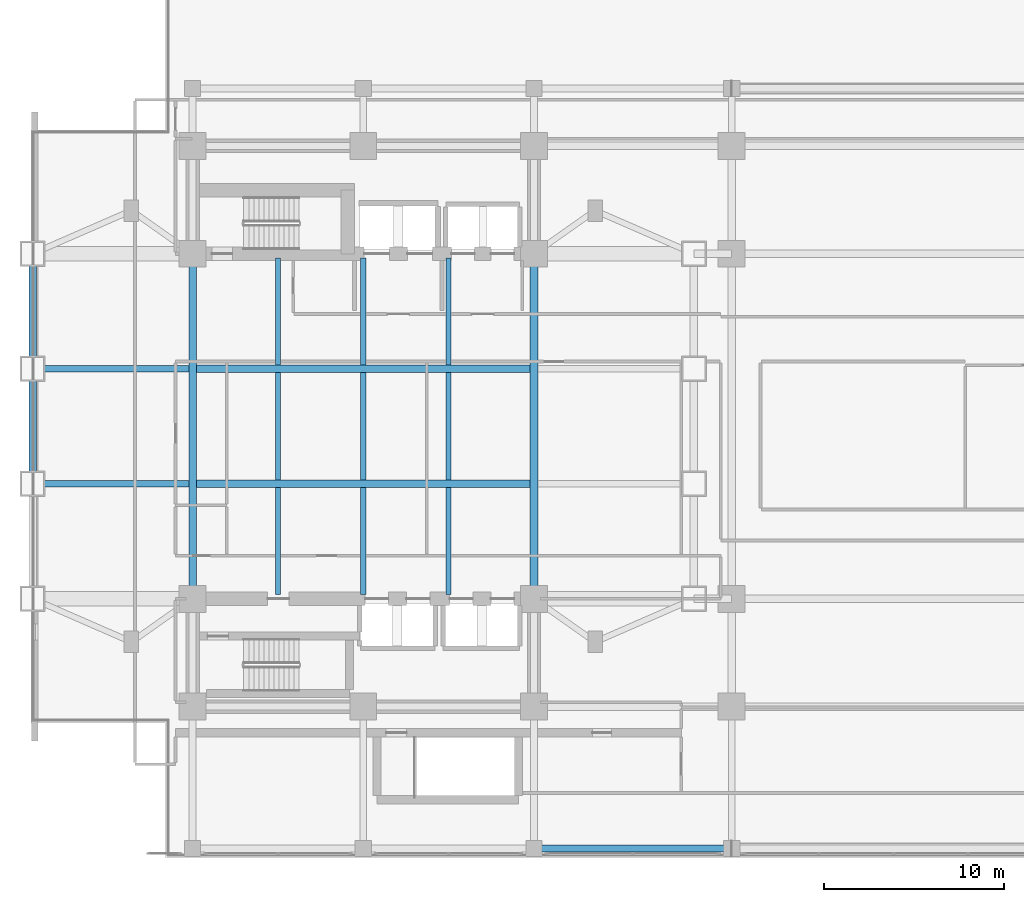
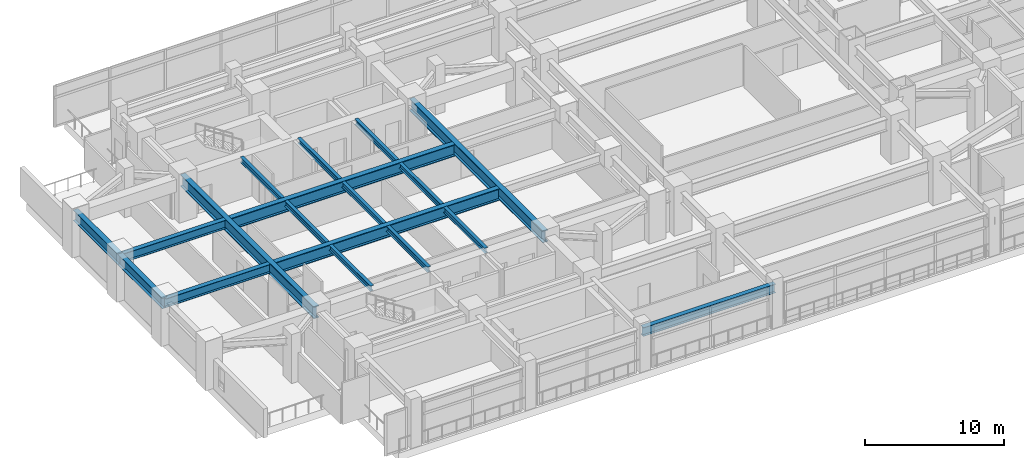
# One storey, part 3 of 27: 18 beams.
"""IFC4 building model written with IfcOpenShell, lengths in metres."""

from ifc_helpers import new_model, si_unit, direction, frame, origin, origin_2d, place, context, subcontext, project, spatial, i_section, extrude, material, material_profile, profile_set, type_object, element, save


model = new_model("IFC4")

# Units and contexts
model_context = context("Model", 3, precision=1e-05, world=origin(), true_north=direction((0.0, 1.0)))
body_context = subcontext(model_context, "Body", "Model", "MODEL_VIEW")
ifc_project = project(units=[si_unit("LENGTHUNIT", "METRE"), si_unit("AREAUNIT", "SQUARE_METRE"), si_unit("VOLUMEUNIT", "CUBIC_METRE"), si_unit("PLANEANGLEUNIT", "RADIAN"), si_unit("MASSUNIT", "GRAM", prefix="KILO")], contexts=[model_context])

# Site, building, storey
site_placement = place(None, origin())
site = spatial("IfcSite", under=ifc_project, at=site_placement, CompositionType="ELEMENT")
building_placement = place(site_placement, origin())
building = spatial("IfcBuilding", under=site, at=building_placement, Name="Mirazonda Arch Towers", CompositionType="ELEMENT")
storey_placement = place(building_placement, frame((0.0, 0.0, 18.10009765625)))
storey = spatial("IfcBuildingStorey", under=building, at=storey_placement, Name="L04", CompositionType="ELEMENT", Elevation=18.10009765625)

# Beams
ifc_material = material(Name="Steel ASTM A992 Grade 50", Category="steel")
ifc_material_profile_1 = material_profile(ifc_material, i_section(OverallWidth=0.381103515625, OverallDepth=0.77294921875, WebThickness=0.0166015625, FlangeThickness=0.027099609375, at=origin_2d()), Name="W30X173")
ifc_profile_set_1 = profile_set([ifc_material_profile_1], Name="Steel ASTM A992 Grade 50")
beam_type_1 = type_object("IfcBeamType", Name="BM-EXT-W30X173", PredefinedType="USERDEFINED", material=ifc_profile_set_1)
beam_1_placement = place(storey_placement, frame((30.0, 4.5, 3.263427734375), z_axis=(1.0, 0.0, 0.0), x_axis=(0.0, 1.0, 0.0)))
element("IfcBeam", 1, at=beam_1_placement, inside=storey, type_object=beam_type_1, Name="L04 Floor Beam BM-POD-L04-PS-3", ObjectType="GIRDER", PredefinedType="USERDEFINED", context=body_context, shape_type="SweptSolid", body=[
    extrude(i_section(OverallWidth=0.381103515625, OverallDepth=0.77294921875, WebThickness=0.0166015625, FlangeThickness=0.027099609375, at=origin_2d()), origin(), (0.0, 0.0, 1.0), 11.0),
])
ifc_material_profile_2 = material_profile(ifc_material, i_section(OverallWidth=0.41796875, OverallDepth=0.927001953125, WebThickness=0.019287109375, FlangeThickness=0.031982421875, at=origin_2d()), Name="W36X231")
ifc_profile_set_2 = profile_set([ifc_material_profile_2], Name="Steel ASTM A992 Grade 50")
beam_type_2 = type_object("IfcBeamType", Name="BM-EXT-W36X231", PredefinedType="USERDEFINED", material=ifc_profile_set_2)
beam_2_placement = place(storey_placement, frame((2.10009765625, 24.800048828125, 3.1865234375), z_axis=(0.0, 1.0, 0.0), x_axis=(-1.0, 0.0, 0.0)))
element("IfcBeam", 2, at=beam_2_placement, inside=storey, type_object=beam_type_2, Name="L04 Floor Beam BM-T1-L04-NS-W-24", ObjectType="GIRDER", PredefinedType="USERDEFINED", context=body_context, shape_type="SweptSolid", body=[
    extrude(i_section(OverallWidth=0.41796875, OverallDepth=0.927001953125, WebThickness=0.019287109375, FlangeThickness=0.031982421875, at=origin_2d()), origin(), (0.0, 0.0, 1.0), 6.39990234375),
])
beam_3_placement = place(storey_placement, frame((2.10009765625, 31.199951171875, 3.1865234375), z_axis=(0.0, 1.0, 0.0), x_axis=(-1.0, 0.0, 0.0)))
element("IfcBeam", 3, at=beam_3_placement, inside=storey, type_object=beam_type_2, Name="L04 Floor Beam BM-T1-L04-NS-W-31", ObjectType="GIRDER", PredefinedType="USERDEFINED", context=body_context, shape_type="SweptSolid", body=[
    extrude(i_section(OverallWidth=0.41796875, OverallDepth=0.927001953125, WebThickness=0.019287109375, FlangeThickness=0.031982421875, at=origin_2d()), origin(), (0.0, 0.0, 1.0), 6.400146484375),
])
ifc_material_profile_3 = material_profile(ifc_material, i_section(OverallWidth=0.280029296875, OverallDepth=0.462890625, WebThickness=0.0107421875, FlangeThickness=0.017333984375, at=origin_2d()), Name="W18X76")
ifc_profile_set_3 = profile_set([ifc_material_profile_3], Name="Steel ASTM A992 Grade 50")
beam_type_3 = type_object("IfcBeamType", Name="BM-INT-W18X76", PredefinedType="JOIST", material=ifc_profile_set_3)
for number, where, z_axis, x_axis, name in (
    (4, (15.75, 18.639892578125, 3.41845703125), (0.0, 1.0, 0.0), (-1.0, 0.0, 0.0), "L04 Floor Beam BM-T1-L04-J-157-18"),
    (5, (15.75, 31.406005859375, 3.41845703125), (0.0, 1.0, 0.0), (-1.0, 0.0, 0.0), "L04 Floor Beam BM-T1-L04-J-157-31"),
):
    element("IfcBeam", number, at=place(storey_placement, frame(where, z_axis=z_axis, x_axis=x_axis)), inside=storey, type_object=beam_type_3, Name=name, PredefinedType="JOIST", context=body_context, shape_type="SweptSolid", body=[
        extrude(i_section(OverallWidth=0.280029296875, OverallDepth=0.462890625, WebThickness=0.0107421875, FlangeThickness=0.017333984375, at=origin_2d()), origin(), (0.0, 0.0, 1.0), 5.9541015625),
    ])
beam_4_placement = place(storey_placement, frame((15.75, 25.006103515625, 3.41845703125), z_axis=(0.0, 1.0, 0.0), x_axis=(-1.0, 0.0, 0.0)))
element("IfcBeam", 6, at=beam_4_placement, inside=storey, type_object=beam_type_3, Name="L04 Floor Beam BM-T1-L04-J-157-24", PredefinedType="JOIST", context=body_context, shape_type="SweptSolid", body=[
    extrude(i_section(OverallWidth=0.280029296875, OverallDepth=0.462890625, WebThickness=0.0107421875, FlangeThickness=0.017333984375, at=origin_2d()), origin(), (0.0, 0.0, 1.0), 5.98779296875),
])
for number, where, z_axis, x_axis, name in (
    (7, (20.5, 18.639892578125, 3.41845703125), (0.0, 1.0, 0.0), (-1.0, 0.0, 0.0), "L04 Floor Beam BM-T1-L04-J-205-18"),
    (8, (20.5, 31.406005859375, 3.41845703125), (0.0, 1.0, 0.0), (-1.0, 0.0, 0.0), "L04 Floor Beam BM-T1-L04-J-205-31"),
):
    element("IfcBeam", number, at=place(storey_placement, frame(where, z_axis=z_axis, x_axis=x_axis)), inside=storey, type_object=beam_type_3, Name=name, PredefinedType="JOIST", context=body_context, shape_type="SweptSolid", body=[
        extrude(i_section(OverallWidth=0.280029296875, OverallDepth=0.462890625, WebThickness=0.0107421875, FlangeThickness=0.017333984375, at=origin_2d()), origin(), (0.0, 0.0, 1.0), 5.9541015625),
    ])
beam_5_placement = place(storey_placement, frame((20.5, 25.006103515625, 3.41845703125), z_axis=(0.0, 1.0, 0.0), x_axis=(-1.0, 0.0, 0.0)))
element("IfcBeam", 9, at=beam_5_placement, inside=storey, type_object=beam_type_3, Name="L04 Floor Beam BM-T1-L04-J-205-24", PredefinedType="JOIST", context=body_context, shape_type="SweptSolid", body=[
    extrude(i_section(OverallWidth=0.280029296875, OverallDepth=0.462890625, WebThickness=0.0107421875, FlangeThickness=0.017333984375, at=origin_2d()), origin(), (0.0, 0.0, 1.0), 5.98779296875),
])
for number, where, z_axis, x_axis, name in (
    (10, (25.25, 18.639892578125, 3.41845703125), (0.0, 1.0, 0.0), (-1.0, 0.0, 0.0), "L04 Floor Beam BM-T1-L04-J-252-18"),
    (11, (25.25, 31.406005859375, 3.41845703125), (0.0, 1.0, 0.0), (-1.0, 0.0, 0.0), "L04 Floor Beam BM-T1-L04-J-252-31"),
):
    element("IfcBeam", number, at=place(storey_placement, frame(where, z_axis=z_axis, x_axis=x_axis)), inside=storey, type_object=beam_type_3, Name=name, PredefinedType="JOIST", context=body_context, shape_type="SweptSolid", body=[
        extrude(i_section(OverallWidth=0.280029296875, OverallDepth=0.462890625, WebThickness=0.0107421875, FlangeThickness=0.017333984375, at=origin_2d()), origin(), (0.0, 0.0, 1.0), 5.9541015625),
    ])
beam_6_placement = place(storey_placement, frame((25.25, 25.006103515625, 3.41845703125), z_axis=(0.0, 1.0, 0.0), x_axis=(-1.0, 0.0, 0.0)))
element("IfcBeam", 12, at=beam_6_placement, inside=storey, type_object=beam_type_3, Name="L04 Floor Beam BM-T1-L04-J-252-24", PredefinedType="JOIST", context=body_context, shape_type="SweptSolid", body=[
    extrude(i_section(OverallWidth=0.280029296875, OverallDepth=0.462890625, WebThickness=0.0107421875, FlangeThickness=0.017333984375, at=origin_2d()), origin(), (0.0, 0.0, 1.0), 5.98779296875),
])
ifc_material_profile_4 = material_profile(ifc_material, i_section(OverallWidth=0.381103515625, OverallDepth=0.77294921875, WebThickness=0.0166015625, FlangeThickness=0.027099609375, at=origin_2d()), Name="W30X173")
ifc_profile_set_4 = profile_set([ifc_material_profile_4], Name="Steel ASTM A992 Grade 50")
beam_type_4 = type_object("IfcBeamType", Name="BM-INT-W30X173", PredefinedType="USERDEFINED", material=ifc_profile_set_4)
for number, where, z_axis, x_axis, name in (
    (13, (2.10009765625, 24.800048828125, 3.263427734375), (1.0, 0.0, 0.0), (0.0, 1.0, 0.0), "L04 Floor Beam BM-T1-L04-GW2"),
    (14, (2.10009765625, 31.199951171875, 3.263427734375), (1.0, 0.0, 0.0), (0.0, 1.0, 0.0), "L04 Floor Beam BM-T1-L04-GW3"),
):
    element("IfcBeam", number, at=place(storey_placement, frame(where, z_axis=z_axis, x_axis=x_axis)), inside=storey, type_object=beam_type_4, Name=name, ObjectType="GIRDER", PredefinedType="USERDEFINED", context=body_context, shape_type="SweptSolid", body=[
        extrude(i_section(OverallWidth=0.381103515625, OverallDepth=0.77294921875, WebThickness=0.0166015625, FlangeThickness=0.027099609375, at=origin_2d()), origin(), (0.0, 0.0, 1.0), 8.68994140625),
    ])
ifc_material_profile_5 = material_profile(ifc_material, i_section(OverallWidth=0.419921875, OverallDepth=1.0400390625, WebThickness=0.031005859375, FlangeThickness=0.055908203125, at=origin_2d()), Name="W40X397")
ifc_profile_set_5 = profile_set([ifc_material_profile_5], Name="Steel ASTM A992 Grade 50")
beam_type_5 = type_object("IfcBeamType", Name="BM-INT-W40X397", PredefinedType="USERDEFINED", material=ifc_profile_set_5)
for number, where, z_axis, x_axis, name in (
    (15, (11.2099609375, 24.800048828125, 3.1298828125), (1.0, 0.0, 0.0), (0.0, 1.0, 0.0), "L04 Floor Beam BM-T1-L04-GC2"),
    (16, (11.2099609375, 31.199951171875, 3.1298828125), (1.0, 0.0, 0.0), (0.0, 1.0, 0.0), "L04 Floor Beam BM-T1-L04-GC3"),
):
    element("IfcBeam", number, at=place(storey_placement, frame(where, z_axis=z_axis, x_axis=x_axis)), inside=storey, type_object=beam_type_5, Name=name, ObjectType="GIRDER", PredefinedType="USERDEFINED", context=body_context, shape_type="SweptSolid", body=[
        extrude(i_section(OverallWidth=0.419921875, OverallDepth=1.0400390625, WebThickness=0.031005859375, FlangeThickness=0.055908203125, at=origin_2d()), origin(), (0.0, 0.0, 1.0), 18.580078125),
    ])
for number, where, z_axis, x_axis, name in (
    (17, (11.0, 18.39990234375, 3.1298828125), (0.0, 1.0, 0.0), (-1.0, 0.0, 0.0), "L04 Floor Beam BM-T1-L04-NS-CW-FULL"),
    (18, (30.0, 18.39990234375, 3.1298828125), (0.0, 1.0, 0.0), (-1.0, 0.0, 0.0), "L04 Floor Beam BM-T1-L04-NS-CE-FULL"),
):
    element("IfcBeam", number, at=place(storey_placement, frame(where, z_axis=z_axis, x_axis=x_axis)), inside=storey, type_object=beam_type_5, Name=name, ObjectType="GIRDER", PredefinedType="USERDEFINED", context=body_context, shape_type="SweptSolid", body=[
        extrude(i_section(OverallWidth=0.419921875, OverallDepth=1.0400390625, WebThickness=0.031005859375, FlangeThickness=0.055908203125, at=origin_2d()), origin(), (0.0, 0.0, 1.0), 19.2001953125),
    ])

save(model, "model.ifc")
